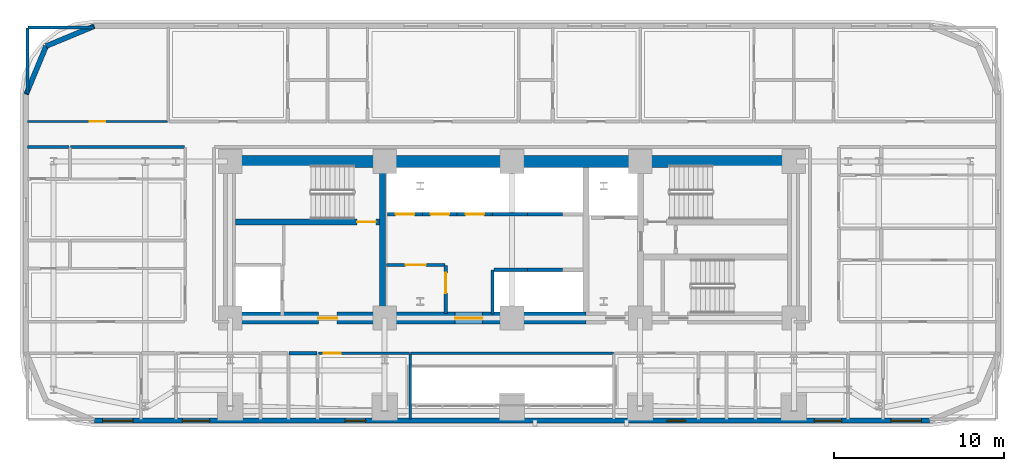
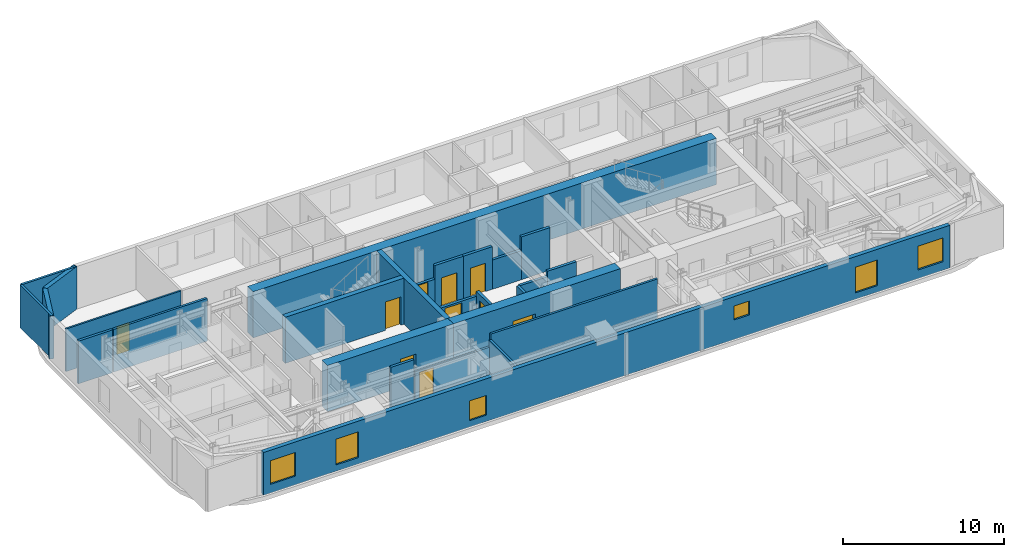
# One storey, part 8 of 16: 27 walls, 10 doors, 6 windows, 16 openings.
"""IFC4 building model written with IfcOpenShell, lengths in metres."""

import ifcopenshell
import ifcopenshell.guid

model = None  # the IFC model being written
_history = None  # IfcOwnerHistory: only IFC2X3 demands one
_inside = {}  # id of a spatial element -> (the spatial element, [elements in it])
_under = {}  # id of a project, library or spatial element -> (it, [spatial elements below it])
_declared = {}  # id of a project -> (the project, [libraries it declares])
_typed = {}  # id of a type object -> (the type object, [elements of that type])
_made_of = {}  # id of a material, layer set ... -> (it, [elements and type objects made of it])


def new_model(schema):
    """Start an empty IFC model of exactly this schema.

    Asked for "IFC4X3", IfcOpenShell would pick the latest addendum, in which some entities
    have other attributes; the version numbers below select the first issue.
    IFC2X3 requires an IfcOwnerHistory on every rooted entity: one is made here for all.
    """
    global model, _history
    if schema == "IFC4X3":
        model = ifcopenshell.file(schema_version=(4, 3, 0, 0))
    else:
        model = ifcopenshell.file(schema=schema)
    _inside.clear()
    _under.clear()
    _declared.clear()
    _typed.clear()
    _made_of.clear()
    _history = None
    if model.schema == "IFC2X3":
        org = make("IfcOrganization", Name="unknown")
        user = make(
            "IfcPersonAndOrganization",
            ThePerson=make("IfcPerson", FamilyName="unknown"),
            TheOrganization=org,
        )
        app = make(
            "IfcApplication",
            ApplicationDeveloper=org,
            Version="unknown",
            ApplicationFullName="unknown",
            ApplicationIdentifier="unknown",
        )
        _history = make(
            "IfcOwnerHistory",
            OwningUser=user,
            OwningApplication=app,
            ChangeAction="ADDED",
            CreationDate=0,
        )
    return model


def make(cls, **values):
    """One entity of the class cls with the attributes given. An attribute that is None is left unset."""
    return model.create_entity(
        cls, **{name: value for name, value in values.items() if value is not None}
    )


def rooted(cls, **values):
    """An entity with a GlobalId (a new one), such as an element, a storey or a relation."""
    return make(cls, GlobalId=ifcopenshell.guid.new(), OwnerHistory=_history, **values)


def si_unit(unit_type, name, prefix=None):
    """IfcSIUnit, for example si_unit("LENGTHUNIT", "METRE", prefix="MILLI")."""
    return make("IfcSIUnit", UnitType=unit_type, Prefix=prefix, Name=name)


def assignment(units):
    """IfcUnitAssignment: the units of a project."""
    return None if units is None else make("IfcUnitAssignment", Units=units)


def point(xyz):
    """IfcCartesianPoint."""
    return None if xyz is None else make("IfcCartesianPoint", Coordinates=xyz)


def direction(xyz):
    """IfcDirection."""
    return None if xyz is None else make("IfcDirection", DirectionRatios=xyz)


def frame(location, z_axis=None, x_axis=None):
    """IfcAxis2Placement3D, a coordinate frame: its origin and axes. An axis left out is left unset."""
    return make(
        "IfcAxis2Placement3D",
        Location=point(location),
        Axis=direction(z_axis),
        RefDirection=direction(x_axis),
    )


def frame_2d(location, x_axis=None):
    """IfcAxis2Placement2D, a coordinate frame in the plane: its origin and x axis."""
    return make(
        "IfcAxis2Placement2D", Location=point(location), RefDirection=direction(x_axis)
    )


def origin():
    """The frame at (0, 0, 0) with its axes left unset."""
    return frame((0.0, 0.0, 0.0))


def place(relative_to, where):
    """IfcLocalPlacement: puts the frame where relative to a parent placement (None: the world)."""
    return make(
        "IfcLocalPlacement", PlacementRelTo=relative_to, RelativePlacement=where
    )


def context(
    kind, dimensions, precision=None, world=None, true_north=None, identifier=None
):
    """IfcGeometricRepresentationContext, for example the 3D "Model" context."""
    return make(
        "IfcGeometricRepresentationContext",
        ContextIdentifier=identifier,
        ContextType=kind,
        CoordinateSpaceDimension=dimensions,
        Precision=precision,
        WorldCoordinateSystem=world,
        TrueNorth=true_north,
    )


def subcontext(parent, identifier, kind, view, scale=None):
    """IfcGeometricRepresentationSubContext, for example "Body" below "Model"."""
    return make(
        "IfcGeometricRepresentationSubContext",
        ContextIdentifier=identifier,
        ContextType=kind,
        ParentContext=parent,
        TargetScale=scale,
        TargetView=view,
    )


def project(units=None, contexts=None):
    """IfcProject with its units and contexts."""
    return rooted(
        "IfcProject",
        Name="project",
        RepresentationContexts=contexts,
        UnitsInContext=assignment(units),
    )


def spatial(cls, under=None, at=None, **own):
    """A site, building, storey or space (cls), placed at a placement, below another one or the project."""
    s = rooted(cls, ObjectPlacement=at, **own)
    if under is not None:
        _under.setdefault(under.id(), (under, []))[1].append(s)
    return s


def profile(cls, at=None, kind="AREA", **sizes):
    """A parametric profile (cls). Its sizes go by their IFC names, for example OverallWidth=200.0."""
    return make(cls, ProfileType=kind, Position=at, **sizes)


def rectangle(**sizes):
    """IfcRectangleProfileDef."""
    return profile("IfcRectangleProfileDef", **sizes)


def extrude(swept, where, along, depth):
    """IfcExtrudedAreaSolid: the profile swept, set in the frame where, extruded along a direction by depth."""
    return make(
        "IfcExtrudedAreaSolid",
        SweptArea=swept,
        Position=where,
        ExtrudedDirection=direction(along),
        Depth=depth,
    )


def shape(context_of_items, identifier, shape_type, items):
    """IfcShapeRepresentation: the items that make up one representation, for example the "Body"."""
    return make(
        "IfcShapeRepresentation",
        ContextOfItems=context_of_items,
        RepresentationIdentifier=identifier,
        RepresentationType=shape_type,
        Items=items,
    )


def material(Name=None, Category=None):
    """IfcMaterial."""
    return make("IfcMaterial", Name=Name, Category=Category)


def layer(
    of_material, thickness, ventilated=None, Name=None, Category=None, Priority=None
):
    """IfcMaterialLayer: one layer of a wall or slab, of a material (None: an air gap)."""
    return make(
        "IfcMaterialLayer",
        Material=of_material,
        LayerThickness=thickness,
        IsVentilated=ventilated,
        Name=Name,
        Category=Category,
        Priority=Priority,
    )


def layer_set(layers, Name=None):
    """IfcMaterialLayerSet."""
    return make("IfcMaterialLayerSet", MaterialLayers=layers, LayerSetName=Name)


def made_of(thing, what):
    """Note that an element or type object is made of a material, layer set ...; save() writes the relation."""
    if what is not None:
        _made_of.setdefault(what.id(), (what, []))[1].append(thing)
    return thing


def type_object(cls, material=None, **own):
    """A type object (cls), such as IfcWallType, which elements share."""
    return made_of(rooted(cls, **own), material)


def element(
    cls,
    number,
    at=None,
    inside=None,
    cuts=None,
    type_object=None,
    material=None,
    context=None,
    identifier="Body",
    shape_type=None,
    held_by="IfcProductDefinitionShape",
    body=None,
    shapes=None,
    **own,
):
    """One element of the class cls, such as IfcWall. Its Tag is "e" and its number.

    at: its placement. inside: the storey or other place that contains it. cuts: it is an
    opening in that element (IfcRelVoidsElement). A single representation is given by context,
    identifier, shape_type and body (its items); several are given by shapes. held_by: the class
    of the entity that holds the representations. save() writes the other relations.
    """
    e = rooted(cls, Tag="e%d" % number, ObjectPlacement=at, **own)
    if body is not None:
        shapes = [shape(context, identifier, shape_type, body)]
    if shapes is not None:
        e.Representation = make(held_by, Representations=shapes)
    if inside is not None:
        _inside.setdefault(inside.id(), (inside, []))[1].append(e)
    if cuts is not None:
        rooted(
            "IfcRelVoidsElement", RelatingBuildingElement=cuts, RelatedOpeningElement=e
        )
    if type_object is not None:
        _typed.setdefault(type_object.id(), (type_object, []))[1].append(e)
    return made_of(e, material)


def fill(opening, filler):
    """IfcRelFillsElement: the door or window that sits in an opening."""
    return rooted(
        "IfcRelFillsElement",
        RelatingOpeningElement=opening,
        RelatedBuildingElement=filler,
    )


def aggregate(whole, parts):
    """IfcRelAggregates: a whole, such as a stair, and the parts it consists of."""
    return rooted("IfcRelAggregates", RelatingObject=whole, RelatedObjects=parts)


def save(model, path):
    """Write the relations noted so far, then the file.

    IfcRelAggregates (storeys below a building ...), IfcRelContainedInSpatialStructure (elements
    in a storey), IfcRelDefinesByType, IfcRelAssociatesMaterial and IfcRelDeclares: one each for
    every whole, place, type object, material and project.
    """
    for whole, parts in _under.values():
        aggregate(whole, parts)
    for where, things in _inside.values():
        rooted(
            "IfcRelContainedInSpatialStructure",
            RelatedElements=things,
            RelatingStructure=where,
        )
    for kind, things in _typed.values():
        rooted("IfcRelDefinesByType", RelatedObjects=things, RelatingType=kind)
    for what, things in _made_of.values():
        rooted("IfcRelAssociatesMaterial", RelatedObjects=things, RelatingMaterial=what)
    for by, libraries in _declared.values():
        rooted("IfcRelDeclares", RelatingContext=by, RelatedDefinitions=libraries)
    model.write(path)


model = new_model("IFC4")

# Units and contexts
model_context = context("Model", 3, precision=1e-05, world=origin(), true_north=direction((0.0, 1.0)))
body_context = subcontext(model_context, "Body", "Model", "MODEL_VIEW")
ifc_project = project(units=[si_unit("LENGTHUNIT", "METRE"), si_unit("AREAUNIT", "SQUARE_METRE"), si_unit("VOLUMEUNIT", "CUBIC_METRE"), si_unit("PLANEANGLEUNIT", "RADIAN"), si_unit("MASSUNIT", "GRAM", prefix="KILO")], contexts=[model_context])

# Site, building, storey
site_placement = place(None, origin())
site = spatial("IfcSite", under=ifc_project, at=site_placement, CompositionType="ELEMENT")
building_placement = place(site_placement, origin())
building = spatial("IfcBuilding", under=site, at=building_placement, Name="Zarnavel Station Tower", CompositionType="ELEMENT")
storey_placement = place(building_placement, frame((0.0, 0.0, 39.5)))
storey = spatial("IfcBuildingStorey", under=building, at=storey_placement, Name="L10", CompositionType="ELEMENT", Elevation=39.5)

# Wall
ifc_material_1 = material(Name="Concrete C50/60", Category="concrete")
ifc_layer_1 = layer(ifc_material_1, 0.35009765625)
ifc_layer_set_1 = layer_set([ifc_layer_1], Name="CW_350")
wall_type_1 = type_object("IfcWallType", Name="CW_350", PredefinedType="SHEAR", material=ifc_layer_set_1)
wall_1_placement = place(storey_placement, frame((21.179931640625, 28.169921875, 0.0), z_axis=(0.0, 0.0, 1.0), x_axis=(0.0, 1.0, 0.0)))
element("IfcWall", 1, at=wall_1_placement, inside=storey, type_object=wall_type_1, Name="L10 Rear Core Shear Wall DIV-W", PredefinedType="SHEAR", context=body_context, shape_type="SweptSolid", body=[
    extrude(rectangle(XDim=8.530029296875, YDim=0.35009765625, at=frame_2d((4.26513671875, 0.0))), origin(), (0.0, 0.0, 1.0), 3.5),
])

# Wall, opening, door
wall_2_placement = place(storey_placement, frame((21.0048828125, 33.47998046875, 0.0), z_axis=(0.0, 0.0, 1.0), x_axis=(-1.0, 0.0, 0.0)))
wall_2 = element("IfcWall", 2, at=wall_2_placement, inside=storey, type_object=wall_type_1, Name="L10 Rear Core Shear Wall DIV-H1", PredefinedType="SHEAR", context=body_context, shape_type="SweptSolid", body=[
    extrude(rectangle(XDim=8.5048828125, YDim=0.35009765625, at=frame_2d((4.25244140625, 0.0))), origin(), (0.0, 0.0, 1.0), 3.5),
])
opening_1_placement = place(wall_2_placement, frame((0.219970703125, 0.0, 0.0)))
opening_1 = element("IfcOpeningElement", 3, at=opening_1_placement, cuts=wall_2, Name="Opening FD01", PredefinedType="OPENING", context=body_context, shape_type="SweptSolid", body=[
    extrude(rectangle(XDim=1.10009765625, YDim=2.14990234375, at=frame_2d((0.550048828125, 1.074951171875))), frame((0.0, 0.18505859375, 0.0), z_axis=(0.0, -1.0, 0.0), x_axis=(1.0, 0.0, 0.0)), (0.0, 0.0, 1.0), 0.3701171875),
])
ifc_material_2 = material(Name="Painted Galvanised Steel and Hardwood Leaf", Category="steel")
door_type_1 = type_object("IfcDoorType", Name="ID_STAIR_1100", OperationType="NOTDEFINED", PredefinedType="DOOR", material=ifc_material_2)
door_1_placement = place(opening_1_placement, origin())
door_1 = element("IfcDoor", 4, at=door_1_placement, inside=storey, type_object=door_type_1, Name="L10 Stair ST1 Lobby Fire Door", OperationType="SINGLE_SWING_LEFT", OverallHeight=2.14990234375, OverallWidth=1.10009765625, PredefinedType="DOOR", context=body_context, shape_type="SweptSolid", body=[
    extrude(rectangle(XDim=1.10009765625, YDim=2.14990234375, at=frame_2d((0.550048828125, 1.074951171875))), frame((0.0, 0.02490234375, 0.0), z_axis=(0.0, -1.0, 0.0), x_axis=(1.0, 0.0, 0.0)), (0.0, 0.0, 1.0), 0.050048828125),
])
fill(opening_1, door_1)

# Wall
ifc_material_3 = material(Name="Concrete C60/75", Category="concrete")
ifc_layer_2 = layer(ifc_material_3, 0.699951171875)
ifc_layer_set_2 = layer_set([ifc_layer_2], Name="CW_700")
wall_type_2 = type_object("IfcWallType", Name="CW_700", PredefinedType="SHEAR", material=ifc_layer_set_2)
wall_3_placement = place(storey_placement, frame((12.14990234375, 37.050048828125, 0.0), z_axis=(0.0, 0.0, 1.0), x_axis=(1.0, 0.0, 0.0)))
element("IfcWall", 5, at=wall_3_placement, inside=storey, type_object=wall_type_2, Name="L10 Rear Core Shear Wall N", PredefinedType="SHEAR", context=body_context, shape_type="SweptSolid", body=[
    extrude(rectangle(XDim=33.22998046875, YDim=0.699951171875, at=frame_2d((16.614990234375, 0.0))), origin(), (0.0, 0.0, 1.0), 3.5),
])

# Wall, opening, door
wall_4_placement = place(storey_placement, frame((21.179931640625, 27.820068359375, 0.0), z_axis=(0.0, 0.0, 1.0), x_axis=(-1.0, 0.0, 0.0)))
wall_4 = element("IfcWall", 6, at=wall_4_placement, inside=storey, type_object=wall_type_2, Name="L10 Rear Core Shear Wall S-W", PredefinedType="SHEAR", context=body_context, shape_type="SweptSolid", body=[
    extrude(rectangle(XDim=9.030029296875, YDim=0.699951171875, at=frame_2d((4.51513671875, 0.0))), origin(), (0.0, 0.0, 1.0), 3.5),
])
opening_2_placement = place(wall_4_placement, frame((2.679931640625, 0.0, 0.0)))
opening_2 = element("IfcOpeningElement", 7, at=opening_2_placement, cuts=wall_4, Name="Opening FD01", PredefinedType="OPENING", context=body_context, shape_type="SweptSolid", body=[
    extrude(rectangle(XDim=1.10009765625, YDim=2.14990234375, at=frame_2d((0.550048828125, 1.074951171875))), frame((0.0, 0.35986328125, 0.0), z_axis=(0.0, -1.0, 0.0), x_axis=(1.0, 0.0, 0.0)), (0.0, 0.0, 1.0), 0.719970703125),
])
door_2_placement = place(opening_2_placement, origin())
door_2 = element("IfcDoor", 8, at=door_2_placement, inside=storey, type_object=door_type_1, Name="L10 West Firefighting Lobby Door", OperationType="SINGLE_SWING_RIGHT", OverallHeight=2.14990234375, OverallWidth=1.10009765625, PredefinedType="DOOR", context=body_context, shape_type="SweptSolid", body=[
    extrude(rectangle(XDim=1.10009765625, YDim=2.14990234375, at=frame_2d((0.550048828125, 1.074951171875))), frame((0.0, 0.02490234375, 0.0), z_axis=(0.0, -1.0, 0.0), x_axis=(1.0, 0.0, 0.0)), (0.0, 0.0, 1.0), 0.050048828125),
])
fill(opening_2, door_2)

wall_5_placement = place(storey_placement, frame((33.14990234375, 27.820068359375, 0.0), z_axis=(0.0, 0.0, 1.0), x_axis=(-1.0, 0.0, 0.0)))
wall_5 = element("IfcWall", 9, at=wall_5_placement, inside=storey, type_object=wall_type_2, Name="L10 Rear Core Shear Wall S-M", PredefinedType="SHEAR", context=body_context, shape_type="SweptSolid", body=[
    extrude(rectangle(XDim=11.969970703125, YDim=0.699951171875, at=frame_2d((5.98486328125, 0.0))), origin(), (0.0, 0.0, 1.0), 3.5),
])
opening_3_placement = place(wall_5_placement, frame((6.10009765625, 0.0, 0.0)))
opening_3 = element("IfcOpeningElement", 10, at=opening_3_placement, cuts=wall_5, Name="Opening ID03", PredefinedType="OPENING", context=body_context, shape_type="SweptSolid", body=[
    extrude(rectangle(XDim=1.60009765625, YDim=2.199951171875, at=frame_2d((0.800048828125, 1.10009765625))), frame((0.0, 0.35986328125, 0.0), z_axis=(0.0, -1.0, 0.0), x_axis=(1.0, 0.0, 0.0)), (0.0, 0.0, 1.0), 0.719970703125),
])
ifc_material_4 = material(Name="Painted Galvanised Steel and Hardwood Leaf", Category="steel")
door_type_2 = type_object("IfcDoorType", Name="ID_PUBLIC_1600", OperationType="DOUBLE_DOOR_SINGLE_SWING", PredefinedType="DOOR", material=ifc_material_4)
door_3_placement = place(opening_3_placement, origin())
door_3 = element("IfcDoor", 11, at=door_3_placement, inside=storey, type_object=door_type_2, Name="L10 Passenger Lift Lobby Double Door", OperationType="SINGLE_SWING_LEFT", OverallHeight=2.199951171875, OverallWidth=1.60009765625, PredefinedType="DOOR", context=body_context, shape_type="SweptSolid", body=[
    extrude(rectangle(XDim=1.60009765625, YDim=2.199951171875, at=frame_2d((0.800048828125, 1.10009765625))), frame((0.0, 0.02490234375, 0.0), z_axis=(0.0, -1.0, 0.0), x_axis=(1.0, 0.0, 0.0)), (0.0, 0.0, 1.0), 0.050048828125),
])
fill(opening_3, door_3)

# Walls
ifc_material_5 = material(Name="Precast concrete C45/55 (Dark Basalt Finish)", Category="masonry")
ifc_layer_3 = layer(ifc_material_5, 0.300048828125)
ifc_layer_set_3 = layer_set([ifc_layer_3], Name="EW_BASALT_300")
wall_type_3 = type_object("IfcWallType", Name="EW_BASALT_300", PredefinedType="SOLIDWALL", material=ifc_layer_set_3)
for number, where, z_axis, x_axis, name in (
    (12, (1.357421875, 43.842529296875, 0.0), (0.0, 0.0, 1.0), (0.923870793506, 0.382704529509, 0.0), "L10 Exterior Basalt Masonry Frame Wall 07"),
    (13, (0.179931640625, 41.0, 0.0), (0.0, 0.0, 1.0), (0.382704529509, 0.923870793506, 0.0), "L10 Exterior Basalt Masonry Frame Wall 08"),
):
    element("IfcWall", number, at=place(storey_placement, frame(where, z_axis=z_axis, x_axis=x_axis)), inside=storey, type_object=wall_type_3, Name=name, PredefinedType="SOLIDWALL", context=body_context, shape_type="SweptSolid", body=[
        extrude(rectangle(XDim=3.07666015625, YDim=0.300048828125, at=frame_2d((1.538330078125, 0.0))), origin(), (0.0, 0.0, 1.0), 3.239990234375),
    ])

# Wall, openings, windows
wall_6_placement = place(storey_placement, frame((53.39990234375, 21.780029296875, 0.0), z_axis=(0.0, 0.0, 1.0), x_axis=(-1.0, 0.0, 0.0)))
wall_6 = element("IfcWall", 14, at=wall_6_placement, inside=storey, type_object=wall_type_3, Name="L10 Exterior Basalt Masonry Frame Wall 12", PredefinedType="SOLIDWALL", context=body_context, shape_type="SweptSolid", body=[
    extrude(rectangle(XDim=49.199951171875, YDim=0.300048828125, at=frame_2d((24.60009765625, 0.0))), origin(), (0.0, 0.0, 1.0), 3.239990234375),
])
opening_4_placement = place(wall_6_placement, frame((46.9150390625, 0.0, 0.64990234375)))
opening_4 = element("IfcOpeningElement", 15, at=opening_4_placement, cuts=wall_6, Name="Opening WN02", PredefinedType="OPENING", context=body_context, shape_type="SweptSolid", body=[
    extrude(rectangle(XDim=1.800048828125, YDim=1.800048828125, at=frame_2d((0.89990234375, 0.89990234375))), frame((0.0, 0.159912109375, 0.0), z_axis=(0.0, -1.0, 0.0), x_axis=(1.0, 0.0, 0.0)), (0.0, 0.0, 1.0), 0.320068359375),
])
opening_5_placement = place(wall_6_placement, frame((42.412841796875, 0.0, 0.47998046875)))
opening_5 = element("IfcOpeningElement", 16, at=opening_5_placement, cuts=wall_6, Name="Opening WN06", PredefinedType="OPENING", context=body_context, shape_type="SweptSolid", body=[
    extrude(rectangle(XDim=1.60009765625, YDim=1.949951171875, at=frame_2d((0.800048828125, 0.97509765625))), frame((0.0, 0.159912109375, 0.0), z_axis=(0.0, -1.0, 0.0), x_axis=(1.0, 0.0, 0.0)), (0.0, 0.0, 1.0), 0.320068359375),
])
opening_6_placement = place(wall_6_placement, frame((33.2255859375, 0.0, 0.47998046875)))
opening_6 = element("IfcOpeningElement", 17, at=opening_6_placement, cuts=wall_6, Name="Opening WN08", PredefinedType="OPENING", context=body_context, shape_type="SweptSolid", body=[
    extrude(rectangle(XDim=1.199951171875, YDim=1.5, at=frame_2d((0.60009765625, 0.75))), frame((0.0, 0.159912109375, 0.0), z_axis=(0.0, -1.0, 0.0), x_axis=(1.0, 0.0, 0.0)), (0.0, 0.0, 1.0), 0.320068359375),
])
opening_7_placement = place(wall_6_placement, frame((14.372802734375, 0.0, 1.47998046875)))
opening_7 = element("IfcOpeningElement", 18, at=opening_7_placement, cuts=wall_6, Name="Opening WN09", PredefinedType="OPENING", context=body_context, shape_type="SweptSolid", body=[
    extrude(rectangle(XDim=1.10009765625, YDim=1.050048828125, at=frame_2d((0.550048828125, 0.52490234375))), frame((0.0, 0.159912109375, 0.0), z_axis=(0.0, -1.0, 0.0), x_axis=(1.0, 0.0, 0.0)), (0.0, 0.0, 1.0), 0.320068359375),
])
opening_8_placement = place(wall_6_placement, frame((5.187255859375, 0.0, 0.47998046875)))
opening_8 = element("IfcOpeningElement", 19, at=opening_8_placement, cuts=wall_6, Name="Opening WN06", PredefinedType="OPENING", context=body_context, shape_type="SweptSolid", body=[
    extrude(rectangle(XDim=1.60009765625, YDim=1.949951171875, at=frame_2d((0.800048828125, 0.97509765625))), frame((0.0, 0.159912109375, 0.0), z_axis=(0.0, -1.0, 0.0), x_axis=(1.0, 0.0, 0.0)), (0.0, 0.0, 1.0), 0.320068359375),
])
opening_9_placement = place(wall_6_placement, frame((0.485107421875, 0.0, 0.64990234375)))
opening_9 = element("IfcOpeningElement", 20, at=opening_9_placement, cuts=wall_6, Name="Opening WN02", PredefinedType="OPENING", context=body_context, shape_type="SweptSolid", body=[
    extrude(rectangle(XDim=1.800048828125, YDim=1.800048828125, at=frame_2d((0.89990234375, 0.89990234375))), frame((0.0, 0.159912109375, 0.0), z_axis=(0.0, -1.0, 0.0), x_axis=(1.0, 0.0, 0.0)), (0.0, 0.0, 1.0), 0.320068359375),
])
ifc_material_6 = material(Name="Thermally Broken Black Aluminium and Low-E Dark Glass", Category="aluminium")
window_type_1 = type_object("IfcWindowType", Name="WN_1100x1050", PartitioningType="SINGLE_PANEL", PredefinedType="WINDOW", material=ifc_material_6)
window_1_placement = place(opening_7_placement, origin())
window_1 = element("IfcWindow", 21, at=window_1_placement, inside=storey, type_object=window_type_1, Name="L10 Recessed Facade Window 04", OverallHeight=1.050048828125, OverallWidth=1.10009765625, PartitioningType="SINGLE_PANEL", PredefinedType="WINDOW", context=body_context, shape_type="SweptSolid", body=[
    extrude(rectangle(XDim=1.10009765625, YDim=1.050048828125, at=frame_2d((0.550048828125, 0.52490234375))), frame((0.0, 0.030029296875, 0.0), z_axis=(0.0, -1.0, 0.0), x_axis=(1.0, 0.0, 0.0)), (0.0, 0.0, 1.0), 0.06005859375),
])
fill(opening_7, window_1)
ifc_material_7 = material(Name="Thermally Broken Black Aluminium and Low-E Dark Glass", Category="aluminium")
window_type_2 = type_object("IfcWindowType", Name="WN_1200x1500", PartitioningType="SINGLE_PANEL", PredefinedType="WINDOW", material=ifc_material_7)
window_2_placement = place(opening_6_placement, origin())
window_2 = element("IfcWindow", 22, at=window_2_placement, inside=storey, type_object=window_type_2, Name="L10 Recessed Facade Window 03", OverallHeight=1.5, OverallWidth=1.199951171875, PartitioningType="SINGLE_PANEL", PredefinedType="WINDOW", context=body_context, shape_type="SweptSolid", body=[
    extrude(rectangle(XDim=1.199951171875, YDim=1.5, at=frame_2d((0.60009765625, 0.75))), frame((0.0, 0.030029296875, 0.0), z_axis=(0.0, -1.0, 0.0), x_axis=(1.0, 0.0, 0.0)), (0.0, 0.0, 1.0), 0.06005859375),
])
fill(opening_6, window_2)
ifc_material_8 = material(Name="Thermally Broken Black Aluminium and Low-E Dark Glass", Category="aluminium")
window_type_3 = type_object("IfcWindowType", Name="WN_1600x1950", PartitioningType="DOUBLE_PANEL_VERTICAL", PredefinedType="WINDOW", material=ifc_material_8)
window_3_placement = place(opening_5_placement, origin())
window_3 = element("IfcWindow", 23, at=window_3_placement, inside=storey, type_object=window_type_3, Name="L10 Recessed Facade Window 02", OverallHeight=1.949951171875, OverallWidth=1.60009765625, PartitioningType="SINGLE_PANEL", PredefinedType="WINDOW", context=body_context, shape_type="SweptSolid", body=[
    extrude(rectangle(XDim=1.60009765625, YDim=1.949951171875, at=frame_2d((0.800048828125, 0.97509765625))), frame((0.0, 0.030029296875, 0.0), z_axis=(0.0, -1.0, 0.0), x_axis=(1.0, 0.0, 0.0)), (0.0, 0.0, 1.0), 0.06005859375),
])
fill(opening_5, window_3)
window_4_placement = place(opening_8_placement, origin())
window_4 = element("IfcWindow", 24, at=window_4_placement, inside=storey, type_object=window_type_3, Name="L10 Recessed Facade Window 05", OverallHeight=1.949951171875, OverallWidth=1.60009765625, PartitioningType="SINGLE_PANEL", PredefinedType="WINDOW", context=body_context, shape_type="SweptSolid", body=[
    extrude(rectangle(XDim=1.60009765625, YDim=1.949951171875, at=frame_2d((0.800048828125, 0.97509765625))), frame((0.0, 0.030029296875, 0.0), z_axis=(0.0, -1.0, 0.0), x_axis=(1.0, 0.0, 0.0)), (0.0, 0.0, 1.0), 0.06005859375),
])
fill(opening_8, window_4)
ifc_material_9 = material(Name="Thermally Broken Black Aluminium and Low-E Dark Glass", Category="aluminium")
window_type_4 = type_object("IfcWindowType", Name="WN_1800x1800", PartitioningType="DOUBLE_PANEL_VERTICAL", PredefinedType="WINDOW", material=ifc_material_9)
window_5_placement = place(opening_4_placement, origin())
window_5 = element("IfcWindow", 25, at=window_5_placement, inside=storey, type_object=window_type_4, Name="L10 Recessed Facade Window 01", OverallHeight=1.800048828125, OverallWidth=1.800048828125, PartitioningType="SINGLE_PANEL", PredefinedType="WINDOW", context=body_context, shape_type="SweptSolid", body=[
    extrude(rectangle(XDim=1.800048828125, YDim=1.800048828125, at=frame_2d((0.89990234375, 0.89990234375))), frame((0.0, 0.030029296875, 0.0), z_axis=(0.0, -1.0, 0.0), x_axis=(1.0, 0.0, 0.0)), (0.0, 0.0, 1.0), 0.06005859375),
])
fill(opening_4, window_5)
window_6_placement = place(opening_9_placement, origin())
window_6 = element("IfcWindow", 26, at=window_6_placement, inside=storey, type_object=window_type_4, Name="L10 Recessed Facade Window 06", OverallHeight=1.800048828125, OverallWidth=1.800048828125, PartitioningType="SINGLE_PANEL", PredefinedType="WINDOW", context=body_context, shape_type="SweptSolid", body=[
    extrude(rectangle(XDim=1.800048828125, YDim=1.800048828125, at=frame_2d((0.89990234375, 0.89990234375))), frame((0.0, 0.030029296875, 0.0), z_axis=(0.0, -1.0, 0.0), x_axis=(1.0, 0.0, 0.0)), (0.0, 0.0, 1.0), 0.06005859375),
])
fill(opening_9, window_6)

# Wall, opening, door
ifc_material_10 = material(Name="Gypsum Twin-Stud Acoustic Fire Partition", Category="concrete")
ifc_layer_4 = layer(ifc_material_10, 0.159912109375)
ifc_layer_set_4 = layer_set([ifc_layer_4], Name="PT_DEMISE_160")
wall_type_4 = type_object("IfcWallType", Name="PT_DEMISE_160", PredefinedType="PARTITIONING", material=ifc_layer_set_4)
wall_7_placement = place(storey_placement, frame((17.389892578125, 25.75, 0.0), z_axis=(0.0, 0.0, 1.0), x_axis=(1.0, 0.0, 0.0)))
wall_7 = element("IfcWall", 27, at=wall_7_placement, inside=storey, type_object=wall_type_4, Name="L10 Partition COR-S-HW3R", PredefinedType="PARTITIONING", context=body_context, shape_type="SweptSolid", body=[
    extrude(rectangle(XDim=5.3701171875, YDim=0.159912109375, at=frame_2d((2.68505859375, 0.0))), origin(), (0.0, 0.0, 1.0), 2.280029296875),
])
opening_10_placement = place(wall_7_placement, frame((0.310302734375, 0.0, 0.0)))
opening_10 = element("IfcOpeningElement", 28, at=opening_10_placement, cuts=wall_7, Name="Opening FD02", PredefinedType="OPENING", context=body_context, shape_type="SweptSolid", body=[
    extrude(rectangle(XDim=1.0, YDim=2.14990234375, at=frame_2d((0.5, 1.074951171875))), frame((0.0, 0.08984375, 0.0), z_axis=(0.0, -1.0, 0.0), x_axis=(1.0, 0.0, 0.0)), (0.0, 0.0, 1.0), 0.179931640625),
])
ifc_material_11 = material(Name="Painted Galvanised Steel and Hardwood Leaf", Category="steel")
door_type_3 = type_object("IfcDoorType", Name="ID_ENTRY_1000", OperationType="NOTDEFINED", PredefinedType="DOOR", material=ifc_material_11)
door_4_placement = place(opening_10_placement, origin())
door_4 = element("IfcDoor", 29, at=door_4_placement, inside=storey, type_object=door_type_3, Name="L10 Door COR-S-HW3R", OperationType="SINGLE_SWING_LEFT", OverallHeight=2.14990234375, OverallWidth=1.0, PredefinedType="DOOR", context=body_context, shape_type="SweptSolid", body=[
    extrude(rectangle(XDim=1.0, YDim=2.14990234375, at=frame_2d((0.5, 1.074951171875))), frame((0.0, 0.02490234375, 0.0), z_axis=(0.0, -1.0, 0.0), x_axis=(1.0, 0.0, 0.0)), (0.0, 0.0, 1.0), 0.050048828125),
])
fill(opening_10, door_4)

# Walls
wall_8_placement = place(storey_placement, frame((2.800048828125, 37.89990234375, 0.0), z_axis=(0.0, 0.0, 1.0), x_axis=(1.0, 0.0, 0.0)))
element("IfcWall", 30, at=wall_8_placement, inside=storey, type_object=wall_type_4, Name="L10 Partition COR-N-FNW2S", PredefinedType="PARTITIONING", context=body_context, shape_type="SweptSolid", body=[
    extrude(rectangle(XDim=6.7099609375, YDim=0.159912109375, at=frame_2d((3.35498046875, 0.0))), origin(), (0.0, 0.0, 1.0), 3.239990234375),
])
wall_9_placement = place(storey_placement, frame((22.830078125, 25.75, 0.0), z_axis=(0.0, 0.0, 1.0), x_axis=(1.0, 0.0, 0.0)))
element("IfcWall", 31, at=wall_9_placement, inside=storey, type_object=wall_type_4, Name="L10 Enclosure Wall COR-S", PredefinedType="PARTITIONING", context=body_context, shape_type="SweptSolid", body=[
    extrude(rectangle(XDim=11.93994140625, YDim=0.159912109375, at=frame_2d((5.969970703125, 0.0))), origin(), (0.0, 0.0, 1.0), 3.239990234375),
])
for number, where, z_axis, x_axis, name in (
    (32, (0.2900390625, 44.93994140625, 0.0), (0.0, 0.0, 1.0), (1.0, 0.0, 0.0), "L10 Enclosure Wall HSKP"),
    (33, (0.260009765625, 41.030029296875, 0.0), (0.0, 0.0, 1.0), (0.0, 1.0, 0.0), "L10 Enclosure Wall HSKP"),
):
    element("IfcWall", number, at=place(storey_placement, frame(where, z_axis=z_axis, x_axis=x_axis)), inside=storey, type_object=wall_type_4, Name=name, PredefinedType="PARTITIONING", context=body_context, shape_type="SweptSolid", body=[
        extrude(rectangle(XDim=3.8798828125, YDim=0.159912109375, at=frame_2d((1.93994140625, 0.0))), origin(), (0.0, 0.0, 1.0), 3.239990234375),
    ])
wall_10_placement = place(storey_placement, frame((22.800048828125, 21.889892578125, 0.0), z_axis=(0.0, 0.0, 1.0), x_axis=(0.0, 1.0, 0.0)))
element("IfcWall", 34, at=wall_10_placement, inside=storey, type_object=wall_type_4, Name="L10 Enclosure Wall HW3R", PredefinedType="PARTITIONING", context=body_context, shape_type="SweptSolid", body=[
    extrude(rectangle(XDim=3.830078125, YDim=0.159912109375, at=frame_2d((1.9150390625, 0.0))), origin(), (0.0, 0.0, 1.0), 2.820068359375),
])

# Wall, opening, door
ifc_material_12 = material(Name="Gypsum Metal-Stud Interior Partition", Category="concrete")
ifc_layer_5 = layer(ifc_material_12, 0.1201171875)
ifc_layer_set_5 = layer_set([ifc_layer_5], Name="PT_ROOM_120")
wall_type_5 = type_object("IfcWallType", Name="PT_ROOM_120", PredefinedType="PARTITIONING", material=ifc_layer_set_5)
wall_11_placement = place(storey_placement, frame((0.260009765625, 39.39990234375, 0.0), z_axis=(0.0, 0.0, 1.0), x_axis=(1.0, 0.0, 0.0)))
wall_11 = element("IfcWall", 35, at=wall_11_placement, inside=storey, type_object=wall_type_5, Name="L10 Partition COR-N-HSKP", PredefinedType="PARTITIONING", context=body_context, shape_type="SweptSolid", body=[
    extrude(rectangle(XDim=8.260009765625, YDim=0.1201171875, at=frame_2d((4.1298828125, 0.0))), origin(), (0.0, 0.0, 1.0), 3.239990234375),
])
opening_11_placement = place(wall_11_placement, frame((3.679931640625, 0.0, 0.0)))
opening_11 = element("IfcOpeningElement", 36, at=opening_11_placement, cuts=wall_11, Name="Opening ID01", PredefinedType="OPENING", context=body_context, shape_type="SweptSolid", body=[
    extrude(rectangle(XDim=0.89990234375, YDim=2.10009765625, at=frame_2d((0.449951171875, 1.050048828125))), frame((0.0, 0.070068359375, 0.0), z_axis=(0.0, -1.0, 0.0), x_axis=(1.0, 0.0, 0.0)), (0.0, 0.0, 1.0), 0.14013671875),
])
ifc_material_13 = material(Name="Painted Galvanised Steel and Hardwood Leaf", Category="steel")
door_type_4 = type_object("IfcDoorType", Name="ID_ROOM_900", OperationType="NOTDEFINED", PredefinedType="DOOR", material=ifc_material_13)
door_5_placement = place(opening_11_placement, origin())
door_5 = element("IfcDoor", 37, at=door_5_placement, inside=storey, type_object=door_type_4, Name="L10 Door COR-N-HSKP", OperationType="SINGLE_SWING_LEFT", OverallHeight=2.10009765625, OverallWidth=0.89990234375, PredefinedType="DOOR", context=body_context, shape_type="SweptSolid", body=[
    extrude(rectangle(XDim=0.89990234375, YDim=2.10009765625, at=frame_2d((0.449951171875, 1.050048828125))), frame((0.0, 0.02490234375, 0.0), z_axis=(0.0, -1.0, 0.0), x_axis=(1.0, 0.0, 0.0)), (0.0, 0.0, 1.0), 0.050048828125),
])
fill(opening_11, door_5)

# Walls
ifc_material_14 = material(Name="Precast concrete C45/55 (Fire Shaft Blockwork)", Category="masonry")
ifc_layer_6 = layer(ifc_material_14, 0.199951171875)
ifc_layer_set_6 = layer_set([ifc_layer_6], Name="PT_SHAFT_200")
wall_type_6 = type_object("IfcWallType", Name="PT_SHAFT_200", PredefinedType="PARTITIONING", material=ifc_layer_set_6)
wall_12_placement = place(storey_placement, frame((27.75, 30.669921875, 0.0), z_axis=(0.0, 0.0, 1.0), x_axis=(1.0, 0.0, 0.0)))
element("IfcWall", 38, at=wall_12_placement, inside=storey, type_object=wall_type_6, Name="L10 Lift PL-H1 Shaft Front Wall", PredefinedType="PARTITIONING", context=body_context, shape_type="SweptSolid", body=[
    extrude(rectangle(XDim=1.97509765625, YDim=0.199951171875, at=frame_2d((0.987548828125, 0.0))), origin(), (0.0, 0.0, 1.0), 2.2119140625),
])
wall_13_placement = place(storey_placement, frame((27.64990234375, 28.070068359375, 0.0), z_axis=(0.0, 0.0, 1.0), x_axis=(0.0, 1.0, 0.0)))
element("IfcWall", 39, at=wall_13_placement, inside=storey, type_object=wall_type_6, Name="L10 High-Rise Lift Bank West Shaft Wall", PredefinedType="PARTITIONING", context=body_context, shape_type="SweptSolid", body=[
    extrude(rectangle(XDim=2.579833984375, YDim=0.199951171875, at=frame_2d((1.2900390625, 0.0))), origin(), (0.0, 0.0, 1.0), 2.2119140625),
])
wall_14_placement = place(storey_placement, frame((29.72509765625, 30.669921875, 0.0), z_axis=(0.0, 0.0, 1.0), x_axis=(1.0, 0.0, 0.0)))
element("IfcWall", 40, at=wall_14_placement, inside=storey, type_object=wall_type_6, Name="L10 Lift PL-H2 Shaft Front Wall", PredefinedType="PARTITIONING", context=body_context, shape_type="SweptSolid", body=[
    extrude(rectangle(XDim=2.0498046875, YDim=0.199951171875, at=frame_2d((1.02490234375, 0.0))), origin(), (0.0, 0.0, 1.0), 2.6201171875),
])

# Wall, opening, door
wall_15_placement = place(storey_placement, frame((21.4599609375, 33.929931640625, 0.0), z_axis=(0.0, 0.0, 1.0), x_axis=(1.0, 0.0, 0.0)))
wall_15 = element("IfcWall", 41, at=wall_15_placement, inside=storey, type_object=wall_type_6, Name="L10 Lift PL-L1 Shaft Front Wall", PredefinedType="PARTITIONING", context=body_context, shape_type="SweptSolid", body=[
    extrude(rectangle(XDim=2.06494140625, YDim=0.199951171875, at=frame_2d((1.032470703125, 0.0))), origin(), (0.0, 0.0, 1.0), 2.2119140625),
])
opening_12_placement = place(wall_15_placement, frame((0.482421875, 0.0, 0.0)))
opening_12 = element("IfcOpeningElement", 42, at=opening_12_placement, cuts=wall_15, Name="Opening LD02", PredefinedType="OPENING", context=body_context, shape_type="SweptSolid", body=[
    extrude(rectangle(XDim=1.10009765625, YDim=2.14990234375, at=frame_2d((0.550048828125, 1.074951171875))), frame((0.0, 0.10986328125, 0.0), z_axis=(0.0, -1.0, 0.0), x_axis=(1.0, 0.0, 0.0)), (0.0, 0.0, 1.0), 0.219970703125),
])
ifc_material_15 = material(Name="Painted Galvanised Steel and Hardwood Leaf", Category="steel")
door_type_5 = type_object("IfcDoorType", Name="LD_PAX_1100", OperationType="DOUBLE_DOOR_SLIDING", PredefinedType="DOOR", material=ifc_material_15)
door_6_placement = place(opening_12_placement, origin())
door_6 = element("IfcDoor", 43, at=door_6_placement, inside=storey, type_object=door_type_5, Name="L10 Lift PL-L1 Sliding Landing Door", OperationType="DOUBLE_DOOR_SLIDING", OverallHeight=2.14990234375, OverallWidth=1.10009765625, PredefinedType="DOOR", context=body_context, shape_type="SweptSolid", body=[
    extrude(rectangle(XDim=1.10009765625, YDim=2.14990234375, at=frame_2d((0.550048828125, 1.074951171875))), frame((0.0, 0.02490234375, 0.0), z_axis=(0.0, -1.0, 0.0), x_axis=(1.0, 0.0, 0.0)), (0.0, 0.0, 1.0), 0.050048828125),
])
fill(opening_12, door_6)

wall_16_placement = place(storey_placement, frame((23.52490234375, 33.929931640625, 0.0), z_axis=(0.0, 0.0, 1.0), x_axis=(1.0, 0.0, 0.0)))
wall_16 = element("IfcWall", 44, at=wall_16_placement, inside=storey, type_object=wall_type_6, Name="L10 Lift PL-L2 Shaft Front Wall", PredefinedType="PARTITIONING", context=body_context, shape_type="SweptSolid", body=[
    extrude(rectangle(XDim=2.050048828125, YDim=0.199951171875, at=frame_2d((1.02490234375, 0.0))), origin(), (0.0, 0.0, 1.0), 3.239990234375),
])
opening_13_placement = place(wall_16_placement, frame((0.47509765625, 0.0, 0.0)))
opening_13 = element("IfcOpeningElement", 45, at=opening_13_placement, cuts=wall_16, Name="Opening LD02", PredefinedType="OPENING", context=body_context, shape_type="SweptSolid", body=[
    extrude(rectangle(XDim=1.10009765625, YDim=2.14990234375, at=frame_2d((0.550048828125, 1.074951171875))), frame((0.0, 0.10986328125, 0.0), z_axis=(0.0, -1.0, 0.0), x_axis=(1.0, 0.0, 0.0)), (0.0, 0.0, 1.0), 0.219970703125),
])
door_7_placement = place(opening_13_placement, origin())
door_7 = element("IfcDoor", 46, at=door_7_placement, inside=storey, type_object=door_type_5, Name="L10 Lift PL-L2 Sliding Landing Door", OperationType="DOUBLE_DOOR_SLIDING", OverallHeight=2.14990234375, OverallWidth=1.10009765625, PredefinedType="DOOR", context=body_context, shape_type="SweptSolid", body=[
    extrude(rectangle(XDim=1.10009765625, YDim=2.14990234375, at=frame_2d((0.550048828125, 1.074951171875))), frame((0.0, 0.02490234375, 0.0), z_axis=(0.0, -1.0, 0.0), x_axis=(1.0, 0.0, 0.0)), (0.0, 0.0, 1.0), 0.050048828125),
])
fill(opening_13, door_7)

wall_17_placement = place(storey_placement, frame((25.574951171875, 33.929931640625, 0.0), z_axis=(0.0, 0.0, 1.0), x_axis=(1.0, 0.0, 0.0)))
wall_17 = element("IfcWall", 47, at=wall_17_placement, inside=storey, type_object=wall_type_6, Name="L10 Lift PL-L3 Shaft Front Wall", PredefinedType="PARTITIONING", context=body_context, shape_type="SweptSolid", body=[
    extrude(rectangle(XDim=2.074951171875, YDim=0.199951171875, at=frame_2d((1.03759765625, 0.0))), origin(), (0.0, 0.0, 1.0), 3.239990234375),
])
opening_14_placement = place(wall_17_placement, frame((0.487548828125, 0.0, 0.0)))
opening_14 = element("IfcOpeningElement", 48, at=opening_14_placement, cuts=wall_17, Name="Opening LD02", PredefinedType="OPENING", context=body_context, shape_type="SweptSolid", body=[
    extrude(rectangle(XDim=1.10009765625, YDim=2.14990234375, at=frame_2d((0.550048828125, 1.074951171875))), frame((0.0, 0.10986328125, 0.0), z_axis=(0.0, -1.0, 0.0), x_axis=(1.0, 0.0, 0.0)), (0.0, 0.0, 1.0), 0.219970703125),
])
door_8_placement = place(opening_14_placement, origin())
door_8 = element("IfcDoor", 49, at=door_8_placement, inside=storey, type_object=door_type_5, Name="L10 Lift PL-L3 Sliding Landing Door", OperationType="DOUBLE_DOOR_SLIDING", OverallHeight=2.14990234375, OverallWidth=1.10009765625, PredefinedType="DOOR", context=body_context, shape_type="SweptSolid", body=[
    extrude(rectangle(XDim=1.10009765625, YDim=2.14990234375, at=frame_2d((0.550048828125, 1.074951171875))), frame((0.0, 0.02490234375, 0.0), z_axis=(0.0, -1.0, 0.0), x_axis=(1.0, 0.0, 0.0)), (0.0, 0.0, 1.0), 0.050048828125),
])
fill(opening_14, door_8)

# Walls
wall_18_placement = place(storey_placement, frame((27.64990234375, 33.929931640625, 0.0), z_axis=(0.0, 0.0, 1.0), x_axis=(1.0, 0.0, 0.0)))
element("IfcWall", 50, at=wall_18_placement, inside=storey, type_object=wall_type_6, Name="L10 Lift PL-M1 Shaft Front Wall", PredefinedType="PARTITIONING", context=body_context, shape_type="SweptSolid", body=[
    extrude(rectangle(XDim=2.0751953125, YDim=0.199951171875, at=frame_2d((1.03759765625, 0.0))), origin(), (0.0, 0.0, 1.0), 2.2119140625),
])
wall_19_placement = place(storey_placement, frame((29.72509765625, 33.929931640625, 0.0), z_axis=(0.0, 0.0, 1.0), x_axis=(1.0, 0.0, 0.0)))
element("IfcWall", 51, at=wall_19_placement, inside=storey, type_object=wall_type_6, Name="L10 Lift PL-M2 Shaft Front Wall", PredefinedType="PARTITIONING", context=body_context, shape_type="SweptSolid", body=[
    extrude(rectangle(XDim=2.0498046875, YDim=0.199951171875, at=frame_2d((1.02490234375, 0.0))), origin(), (0.0, 0.0, 1.0), 3.239990234375),
])

# Wall, opening, door
wall_20_placement = place(storey_placement, frame((21.39990234375, 30.949951171875, 0.0), z_axis=(0.0, 0.0, 1.0), x_axis=(1.0, 0.0, 0.0)))
wall_20 = element("IfcWall", 52, at=wall_20_placement, inside=storey, type_object=wall_type_6, Name="L10 Partition LLOB-CS1", PredefinedType="PARTITIONING", context=body_context, shape_type="SweptSolid", body=[
    extrude(rectangle(XDim=3.460205078125, YDim=0.199951171875, at=frame_2d((1.72998046875, 0.0))), origin(), (0.0, 0.0, 1.0), 2.280029296875),
])
opening_15_placement = place(wall_20_placement, frame((1.1298828125, 0.0, 0.0)))
opening_15 = element("IfcOpeningElement", 53, at=opening_15_placement, cuts=wall_20, Name="Opening FD03", PredefinedType="OPENING", context=body_context, shape_type="SweptSolid", body=[
    extrude(rectangle(XDim=1.199951171875, YDim=2.14990234375, at=frame_2d((0.60009765625, 1.074951171875))), frame((0.0, 0.10986328125, 0.0), z_axis=(0.0, -1.0, 0.0), x_axis=(1.0, 0.0, 0.0)), (0.0, 0.0, 1.0), 0.219970703125),
])
ifc_material_16 = material(Name="Painted Galvanised Steel and Hardwood Leaf", Category="steel")
door_type_6 = type_object("IfcDoorType", Name="ID_PLANT_1200", OperationType="NOTDEFINED", PredefinedType="DOOR", material=ifc_material_16)
door_9_placement = place(opening_15_placement, origin())
door_9 = element("IfcDoor", 54, at=door_9_placement, inside=storey, type_object=door_type_6, Name="L10 Door LLOB-CS1", OperationType="SINGLE_SWING_LEFT", OverallHeight=2.14990234375, OverallWidth=1.199951171875, PredefinedType="DOOR", context=body_context, shape_type="SweptSolid", body=[
    extrude(rectangle(XDim=1.199951171875, YDim=2.14990234375, at=frame_2d((0.60009765625, 1.074951171875))), frame((0.0, 0.02490234375, 0.0), z_axis=(0.0, -1.0, 0.0), x_axis=(1.0, 0.0, 0.0)), (0.0, 0.0, 1.0), 0.050048828125),
])
fill(opening_15, door_9)

wall_21_placement = place(storey_placement, frame((24.89990234375, 28.090087890625, 0.0), z_axis=(0.0, 0.0, 1.0), x_axis=(0.0, 1.0, 0.0)))
wall_21 = element("IfcWall", 55, at=wall_21_placement, inside=storey, type_object=wall_type_6, Name="L10 Partition LLOBS-CS1", PredefinedType="PARTITIONING", context=body_context, shape_type="SweptSolid", body=[
    extrude(rectangle(XDim=2.81982421875, YDim=0.199951171875, at=frame_2d((1.409912109375, 0.0))), origin(), (0.0, 0.0, 1.0), 2.6201171875),
])
opening_16_placement = place(wall_21_placement, frame((1.20068359375, 0.0, 0.0)))
opening_16 = element("IfcOpeningElement", 56, at=opening_16_placement, cuts=wall_21, Name="Opening FD03", PredefinedType="OPENING", context=body_context, shape_type="SweptSolid", body=[
    extrude(rectangle(XDim=1.199951171875, YDim=2.14990234375, at=frame_2d((0.60009765625, 1.074951171875))), frame((0.0, 0.10986328125, 0.0), z_axis=(0.0, -1.0, 0.0), x_axis=(1.0, 0.0, 0.0)), (0.0, 0.0, 1.0), 0.219970703125),
])
door_10_placement = place(opening_16_placement, origin())
door_10 = element("IfcDoor", 57, at=door_10_placement, inside=storey, type_object=door_type_6, Name="L10 Door LLOBS-CS1", OperationType="SINGLE_SWING_RIGHT", OverallHeight=2.14990234375, OverallWidth=1.199951171875, PredefinedType="DOOR", context=body_context, shape_type="SweptSolid", body=[
    extrude(rectangle(XDim=1.199951171875, YDim=2.14990234375, at=frame_2d((0.60009765625, 1.074951171875))), frame((0.0, 0.02490234375, 0.0), z_axis=(0.0, -1.0, 0.0), x_axis=(1.0, 0.0, 0.0)), (0.0, 0.0, 1.0), 0.050048828125),
])
fill(opening_16, door_10)

# Walls
ifc_material_17 = material(Name="Moisture-Resistant Plumbing Chase Wall", Category="concrete")
ifc_layer_7 = layer(ifc_material_17, 0.179931640625)
ifc_layer_set_7 = layer_set([ifc_layer_7], Name="PW_PLUMB_180")
wall_type_7 = type_object("IfcWallType", Name="PW_PLUMB_180", PredefinedType="PLUMBINGWALL", material=ifc_layer_set_7)
wall_22_placement = place(storey_placement, frame((15.6689453125, 25.75, 0.0), z_axis=(0.0, 0.0, 1.0), x_axis=(1.0, 0.0, 0.0)))
element("IfcWall", 58, at=wall_22_placement, inside=storey, type_object=wall_type_7, Name="L10 Partition COR-S-HW3B", PredefinedType="PLUMBINGWALL", context=body_context, shape_type="SweptSolid", body=[
    extrude(rectangle(XDim=1.64111328125, YDim=0.179931640625, at=frame_2d((0.820556640625, 0.0))), origin(), (0.0, 0.0, 1.0), 3.239990234375),
])
wall_23_placement = place(storey_placement, frame((0.260009765625, 37.89990234375, 0.0), z_axis=(0.0, 0.0, 1.0), x_axis=(1.0, 0.0, 0.0)))
element("IfcWall", 59, at=wall_23_placement, inside=storey, type_object=wall_type_7, Name="L10 Partition COR-N-FNW2B", PredefinedType="PLUMBINGWALL", context=body_context, shape_type="SweptSolid", body=[
    extrude(rectangle(XDim=2.4599609375, YDim=0.179931640625, at=frame_2d((1.22998046875, 0.0))), origin(), (0.0, 0.0, 1.0), 3.239990234375),
])

save(model, "model.ifc")
